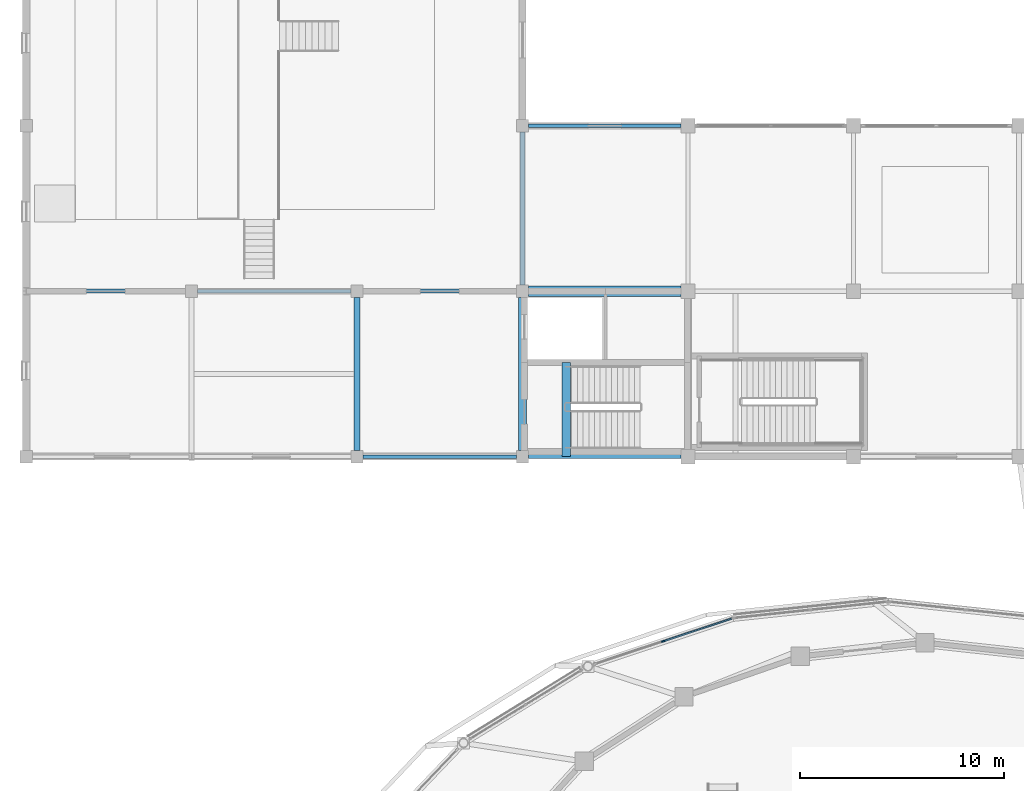
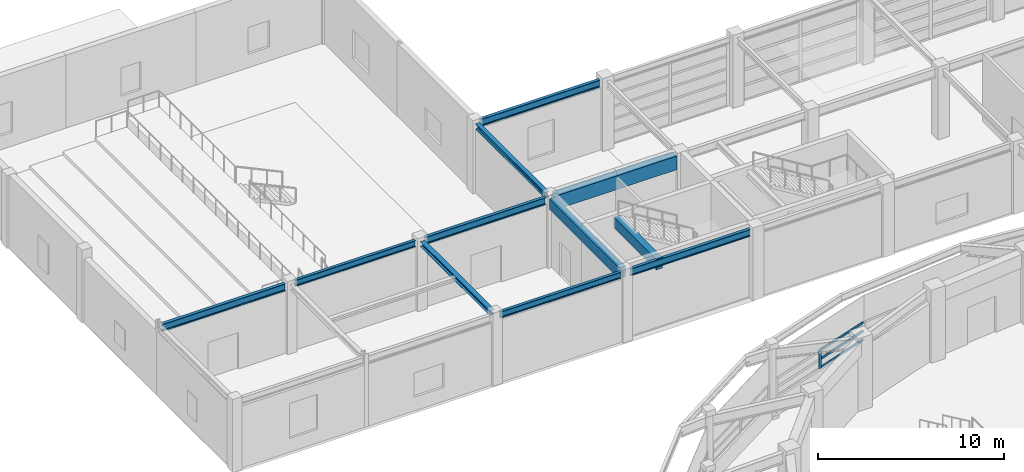
# One storey, part 21 of 56: 11 beams, 4 members, 1 element without a shape of its own.
"""IFC4 building model written with IfcOpenShell, lengths in metres."""

from ifc_helpers import new_model, si_unit, direction, frame, origin, origin_2d, place, context, subcontext, project, spatial, rectangle, i_section, extrude, material, material_profile, profile_set, type_object, element, aggregate, save


model = new_model("IFC4")

# Units and contexts
model_context = context("Model", 3, precision=1e-05, world=origin(), true_north=direction((0.0, 1.0)))
body_context = subcontext(model_context, "Body", "Model", "MODEL_VIEW")
ifc_project = project(units=[si_unit("LENGTHUNIT", "METRE"), si_unit("AREAUNIT", "SQUARE_METRE"), si_unit("VOLUMEUNIT", "CUBIC_METRE"), si_unit("PLANEANGLEUNIT", "RADIAN"), si_unit("MASSUNIT", "GRAM", prefix="KILO")], contexts=[model_context])

# Site, building, storey
site_placement = place(None, origin())
site = spatial("IfcSite", under=ifc_project, at=site_placement, CompositionType="ELEMENT")
building_placement = place(site_placement, origin())
building = spatial("IfcBuilding", under=site, at=building_placement, Name="Parian Resonance Hall", CompositionType="ELEMENT")
storey_placement = place(building_placement, frame((0.0, 0.0, 5.39990234375)))
storey = spatial("IfcBuildingStorey", under=building, at=storey_placement, Name="L01", CompositionType="ELEMENT", Elevation=5.39990234375)

# Beams
ifc_material_1 = material(Name="Concrete C40/50", Category="concrete")
ifc_material_profile_1 = material_profile(ifc_material_1, rectangle(XDim=0.39990234375, YDim=0.699951171875, at=origin_2d()), Name="RC-BM-400x700")
ifc_profile_set_1 = profile_set([ifc_material_profile_1], Name="Concrete C40/50")
beam_type_1 = type_object("IfcBeamType", Name="BM-RC400x700", PredefinedType="BEAM", material=ifc_profile_set_1)
beam_1_placement = place(storey_placement, frame((24.300048828125, 73.199951171875, 4.210205078125), z_axis=(0.0, 1.0, 0.0), x_axis=(-1.0, 0.0, 0.0)))
element("IfcBeam", 1, at=beam_1_placement, inside=storey, type_object=beam_type_1, Name="GY-L01-0596", PredefinedType="BEAM", context=body_context, shape_type="SweptSolid", body=[
    extrude(rectangle(XDim=0.39990234375, YDim=0.699951171875, at=origin_2d()), origin(), (0.0, 0.0, 1.0), 7.5),
])
beam_2_placement = place(storey_placement, frame((26.43994140625, 72.89990234375, 4.210205078125), z_axis=(0.0, 1.0, 0.0), x_axis=(-1.0, 0.0, 0.0)))
element("IfcBeam", 2, at=beam_2_placement, inside=storey, type_object=beam_type_1, Name="Core K4 stair arrival trimmer beam L01", PredefinedType="BEAM", context=body_context, shape_type="SweptSolid", body=[
    extrude(rectangle(XDim=0.39990234375, YDim=0.699951171875, at=origin_2d()), origin(), (0.0, 0.0, 1.0), 4.610107421875),
])
ifc_material_2 = material(Name="Concrete C40/50", Category="concrete")
ifc_material_profile_2 = material_profile(ifc_material_2, rectangle(XDim=0.5, YDim=0.89990234375, at=origin_2d()), Name="RC-BM-500x900")
ifc_profile_set_2 = profile_set([ifc_material_profile_2], Name="Concrete C40/50")
beam_type_2 = type_object("IfcBeamType", Name="BM-RC500x900", PredefinedType="USERDEFINED", material=ifc_profile_set_2)
beam_3_placement = place(storey_placement, frame((24.60009765625, 81.0, 4.110107421875), z_axis=(1.0, 0.0, 0.0), x_axis=(0.0, 1.0, 0.0)))
element("IfcBeam", 3, at=beam_3_placement, inside=storey, type_object=beam_type_2, Name="GX-L01-0527", ObjectType="GIRDER", PredefinedType="USERDEFINED", context=body_context, shape_type="SweptSolid", body=[
    extrude(rectangle(XDim=0.5, YDim=0.89990234375, at=origin_2d()), origin(), (0.0, 0.0, 1.0), 7.449951171875),
])
ifc_material_3 = material(Name="Steel S355", Category="steel")
ifc_material_profile_3 = material_profile(ifc_material_3, i_section(OverallWidth=0.304931640625, OverallDepth=0.30810546875, WebThickness=0.010009765625, FlangeThickness=0.015380859375, FilletRadius=0.01513671875, at=origin_2d()), Name="W310x97")
ifc_profile_set_3 = profile_set([ifc_material_profile_3], Name="Steel S355")
beam_type_3 = type_object("IfcBeamType", Name="BM-W310x97", PredefinedType="BEAM", material=ifc_profile_set_3)
beam_4_placement = place(storey_placement, frame((16.199951171875, 73.199951171875, 4.406005859375), z_axis=(0.0, 1.0, 0.0), x_axis=(-1.0, 0.0, 0.0)))
element("IfcBeam", 4, at=beam_4_placement, inside=storey, type_object=beam_type_3, Name="GY-L01-0595", PredefinedType="BEAM", context=body_context, shape_type="SweptSolid", body=[
    extrude(i_section(OverallWidth=0.304931640625, OverallDepth=0.30810546875, WebThickness=0.010009765625, FlangeThickness=0.015380859375, FilletRadius=0.01513671875, at=origin_2d()), origin(), (0.0, 0.0, 1.0), 7.5),
])
ifc_material_4 = material(Name="Steel S355", Category="steel")
ifc_material_profile_4 = material_profile(ifc_material_4, i_section(OverallWidth=0.2548828125, OverallDepth=0.35693359375, WebThickness=0.010498046875, FlangeThickness=0.018310546875, FilletRadius=0.01513671875, at=origin_2d()), Name="W360x101")
ifc_profile_set_4 = profile_set([ifc_material_profile_4], Name="Steel S355")
beam_type_4 = type_object("IfcBeamType", Name="BM-W360x101", PredefinedType="SPANDREL", material=ifc_profile_set_4)
beam_5_placement = place(storey_placement, frame((24.300048828125, 81.300048828125, 4.381591796875), z_axis=(0.0, 1.0, 0.0), x_axis=(-1.0, 0.0, 0.0)))
element("IfcBeam", 5, at=beam_5_placement, inside=storey, type_object=beam_type_4, Name="GY-L01-0597", PredefinedType="SPANDREL", context=body_context, shape_type="SweptSolid", body=[
    extrude(i_section(OverallWidth=0.2548828125, OverallDepth=0.35693359375, WebThickness=0.010498046875, FlangeThickness=0.018310546875, FilletRadius=0.01513671875, at=origin_2d()), origin(), (0.0, 0.0, 1.0), 7.5),
])
ifc_material_5 = material(Name="Steel S355", Category="steel")
ifc_material_profile_5 = material_profile(ifc_material_5, i_section(OverallWidth=0.180908203125, OverallDepth=0.4169921875, WebThickness=0.010986328125, FlangeThickness=0.018310546875, FilletRadius=0.01513671875, at=origin_2d()), Name="W410x85")
ifc_profile_set_5 = profile_set([ifc_material_profile_5], Name="Steel S355")
beam_type_5 = type_object("IfcBeamType", Name="BM-W410x85", PredefinedType="SPANDREL", material=ifc_profile_set_5)
for number, where, z_axis, x_axis, name in (
    (6, (8.39990234375, 81.0, 4.3515625), (1.0, 0.0, 0.0), (0.0, 1.0, 0.0), "GX-L01-0523"),
    (7, (16.5, 72.89990234375, 4.3515625), (1.0, 0.0, 0.0), (0.0, 1.0, 0.0), "GX-L01-0524"),
):
    element("IfcBeam", number, at=place(storey_placement, frame(where, z_axis=z_axis, x_axis=x_axis)), inside=storey, type_object=beam_type_5, Name=name, PredefinedType="SPANDREL", context=body_context, shape_type="SweptSolid", body=[
        extrude(i_section(OverallWidth=0.180908203125, OverallDepth=0.4169921875, WebThickness=0.010986328125, FlangeThickness=0.018310546875, FilletRadius=0.01513671875, at=origin_2d()), origin(), (0.0, 0.0, 1.0), 7.5),
    ])
ifc_material_6 = material(Name="Steel S355", Category="steel")
ifc_material_profile_6 = material_profile(ifc_material_6, i_section(OverallWidth=0.194091796875, OverallDepth=0.468994140625, WebThickness=0.0126953125, FlangeThickness=0.0205078125, FilletRadius=0.01513671875, at=origin_2d()), Name="W460x106")
ifc_profile_set_6 = profile_set([ifc_material_profile_6], Name="Steel S355")
beam_type_6 = type_object("IfcBeamType", Name="BM-W460x106", PredefinedType="SPANDREL", material=ifc_profile_set_6)
beam_6_placement = place(storey_placement, frame((0.12744140625, 81.0, 4.32568359375), z_axis=(1.0, 0.0, 0.0), x_axis=(0.0, 1.0, 0.0)))
element("IfcBeam", 8, at=beam_6_placement, inside=storey, type_object=beam_type_6, Name="GX-L01-0521", PredefinedType="SPANDREL", context=body_context, shape_type="SweptSolid", body=[
    extrude(i_section(OverallWidth=0.194091796875, OverallDepth=0.468994140625, WebThickness=0.0126953125, FlangeThickness=0.0205078125, FilletRadius=0.01513671875, at=origin_2d()), origin(), (0.0, 0.0, 1.0), 7.672607421875),
])
beam_7_placement = place(storey_placement, frame((16.5, 81.0, 4.32568359375), z_axis=(1.0, 0.0, 0.0), x_axis=(0.0, 1.0, 0.0)))
element("IfcBeam", 9, at=beam_7_placement, inside=storey, type_object=beam_type_6, Name="GX-L01-0525", PredefinedType="SPANDREL", context=body_context, shape_type="SweptSolid", body=[
    extrude(i_section(OverallWidth=0.194091796875, OverallDepth=0.468994140625, WebThickness=0.0126953125, FlangeThickness=0.0205078125, FilletRadius=0.01513671875, at=origin_2d()), origin(), (0.0, 0.0, 1.0), 7.5),
])
for number, where, z_axis, x_axis, name in (
    (10, (24.60009765625, 72.89990234375, 4.32568359375), (1.0, 0.0, 0.0), (0.0, 1.0, 0.0), "GX-L01-0526"),
    (11, (24.60009765625, 89.10009765625, 4.32568359375), (1.0, 0.0, 0.0), (0.0, 1.0, 0.0), "GX-L01-0528"),
):
    element("IfcBeam", number, at=place(storey_placement, frame(where, z_axis=z_axis, x_axis=x_axis)), inside=storey, type_object=beam_type_6, Name=name, PredefinedType="SPANDREL", context=body_context, shape_type="SweptSolid", body=[
        extrude(i_section(OverallWidth=0.194091796875, OverallDepth=0.468994140625, WebThickness=0.0126953125, FlangeThickness=0.0205078125, FilletRadius=0.01513671875, at=origin_2d()), origin(), (0.0, 0.0, 1.0), 7.449951171875),
    ])

# Curtain wall, members
ifc_material_7 = material(Name="Bronze-anodised aluminium frame", Category="aluminium")
curtain_wall_type = type_object("IfcCurtainWallType", Name="CW-SYS-02", PredefinedType="NOTDEFINED", material=ifc_material_7)
curtain_wall_placement = place(storey_placement, origin())
curtain_wall = element("IfcCurtainWall", 12, at=curtain_wall_placement, inside=storey, type_object=curtain_wall_type, Name="Elliptical R1 recessed strip curtain wall 08", PredefinedType="NOTDEFINED")
ifc_material_8 = material(Name="Bronze-anodised aluminium frame", Category="aluminium")
ifc_material_profile_7 = material_profile(ifc_material_8, rectangle(XDim=0.074951171875, YDim=0.199951171875, at=origin_2d()), Name="CWM-75x200")
ifc_profile_set_7 = profile_set([ifc_material_profile_7], Name="Bronze-anodised aluminium frame")
member_type_1 = type_object("IfcMemberType", Name="CWM-75x200", PredefinedType="MULLION", material=ifc_profile_set_7)
member_1_placement = place(storey_placement, frame((31.19970703125, 63.868408203125, 1.14208984375), z_axis=(0.0, 0.0, 1.0), x_axis=(-0.315505719015, 0.948923675154, 0.0)))
member_1 = element("IfcMember", 13, at=member_1_placement, type_object=member_type_1, Name="CW-02 mullion 2", PredefinedType="MULLION", context=body_context, shape_type="SweptSolid", body=[
    extrude(rectangle(XDim=0.074951171875, YDim=0.199951171875, at=origin_2d()), origin(), (0.0, 0.0, 1.0), 1.218017578125),
])
ifc_material_9 = material(Name="Bronze-anodised aluminium frame", Category="aluminium")
ifc_material_profile_8 = material_profile(ifc_material_9, rectangle(XDim=0.074951171875, YDim=0.14990234375, at=origin_2d()), Name="CWT-75x150")
ifc_profile_set_8 = profile_set([ifc_material_profile_8], Name="Bronze-anodised aluminium frame")
member_type_2 = type_object("IfcMemberType", Name="CWT-75x150", PredefinedType="USERDEFINED", material=ifc_profile_set_8)
member_2_placement = place(storey_placement, frame((31.235107421875, 63.880126953125, 1.1796875), z_axis=(0.948922848148, 0.315508206331, 0.0), x_axis=(-0.315508206331, 0.948922848148, 0.0)))
member_2 = element("IfcMember", 14, at=member_2_placement, type_object=member_type_2, Name="CW-02 transom 2.1", ObjectType="TRANSOM", PredefinedType="USERDEFINED", context=body_context, shape_type="SweptSolid", body=[
    extrude(rectangle(XDim=0.074951171875, YDim=0.14990234375, at=origin_2d()), origin(), (0.0, 0.0, 1.0), 3.461181640625),
])
member_3_placement = place(storey_placement, frame((31.235107421875, 63.880126953125, 1.75), z_axis=(0.948922848148, 0.315508206331, 0.0), x_axis=(-0.315508206331, 0.948922848148, 0.0)))
member_3 = element("IfcMember", 15, at=member_3_placement, type_object=member_type_2, Name="CW-02 transom 2.2", ObjectType="TRANSOM", PredefinedType="USERDEFINED", context=body_context, shape_type="SweptSolid", body=[
    extrude(rectangle(XDim=0.074951171875, YDim=0.14990234375, at=origin_2d()), origin(), (0.0, 0.0, 1.0), 3.461181640625),
])
member_4_placement = place(storey_placement, frame((31.235107421875, 63.880126953125, 2.322509765625), z_axis=(0.948922848148, 0.315508206331, 0.0), x_axis=(-0.315508206331, 0.948922848148, 0.0)))
member_4 = element("IfcMember", 16, at=member_4_placement, type_object=member_type_2, Name="CW-02 transom 2.3", ObjectType="TRANSOM", PredefinedType="USERDEFINED", context=body_context, shape_type="SweptSolid", body=[
    extrude(rectangle(XDim=0.074951171875, YDim=0.14990234375, at=origin_2d()), origin(), (0.0, 0.0, 1.0), 3.461181640625),
])
aggregate(curtain_wall, [member_1, member_2, member_3, member_4])

save(model, "model.ifc")
